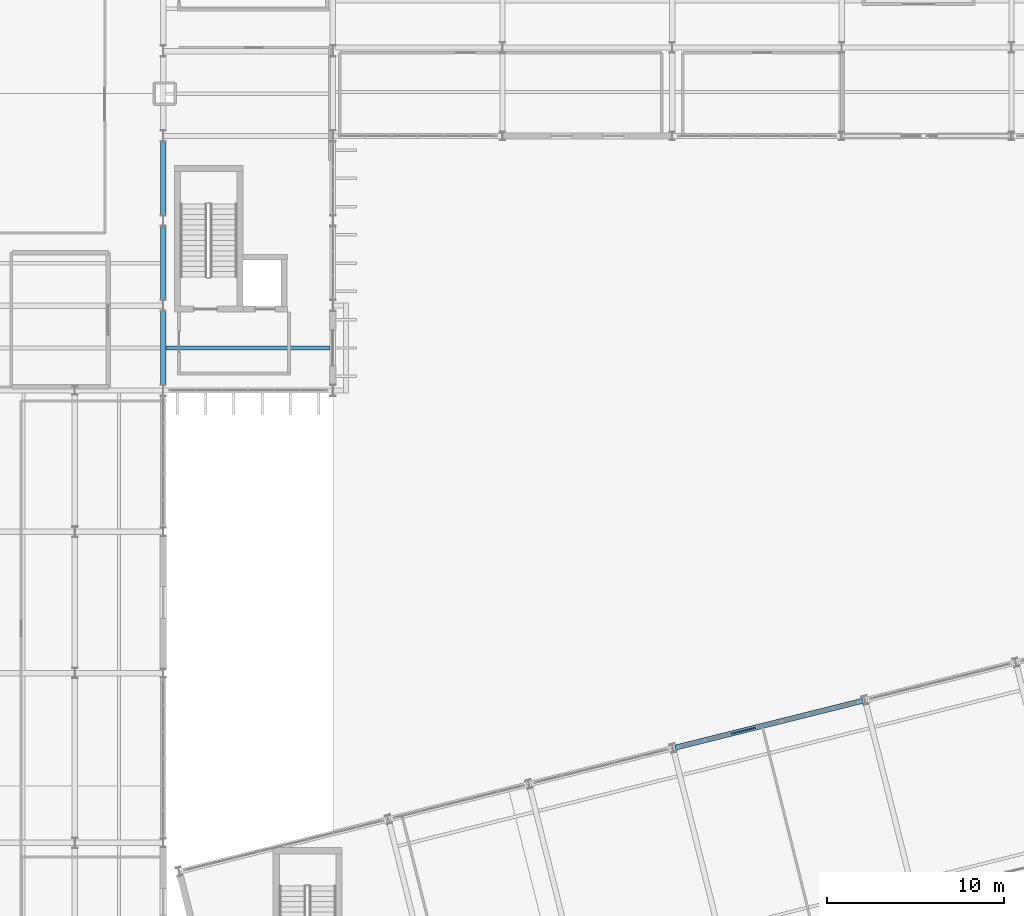
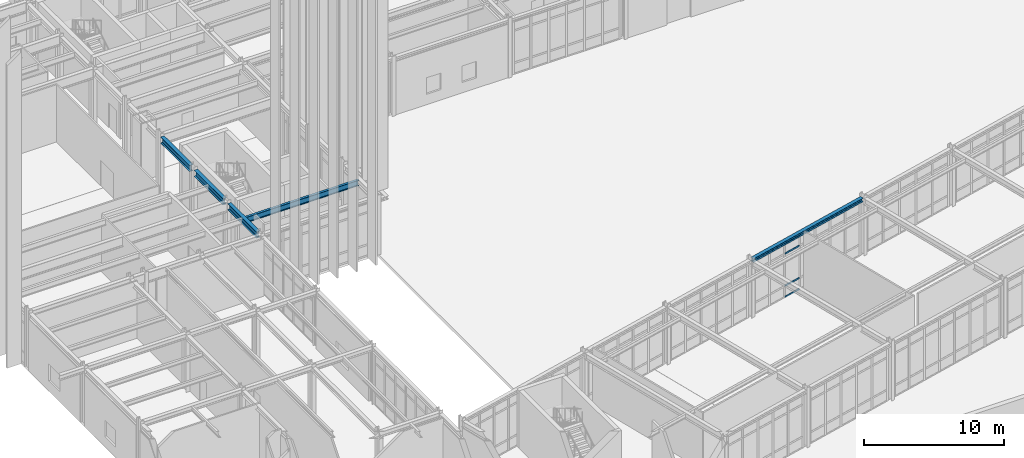
# One storey, part 41 of 109: 5 beams, 4 members, 1 element without a shape of its own.
"""IFC4 building model written with IfcOpenShell, lengths in metres."""

from ifc_helpers import new_model, si_unit, direction, frame, origin, origin_2d, place, context, subcontext, project, spatial, rectangle, i_section, extrude, material, layer, layer_set, material_profile, profile_set, type_object, element, aggregate, save


model = new_model("IFC4")

# Units and contexts
model_context = context("Model", 3, precision=1e-05, world=origin(), true_north=direction((0.0, 1.0)))
body_context = subcontext(model_context, "Body", "Model", "MODEL_VIEW")
ifc_project = project(units=[si_unit("LENGTHUNIT", "METRE"), si_unit("AREAUNIT", "SQUARE_METRE"), si_unit("VOLUMEUNIT", "CUBIC_METRE"), si_unit("PLANEANGLEUNIT", "RADIAN"), si_unit("MASSUNIT", "GRAM", prefix="KILO")], contexts=[model_context])

# Site, building, storey
site_placement = place(None, origin())
site = spatial("IfcSite", under=ifc_project, at=site_placement, CompositionType="ELEMENT")
building_placement = place(site_placement, origin())
building = spatial("IfcBuilding", under=site, at=building_placement, Name="Nordkorset Police Headquarters", CompositionType="ELEMENT")
storey_placement = place(building_placement, origin())
storey = spatial("IfcBuildingStorey", under=building, at=storey_placement, Name="L00", CompositionType="ELEMENT", Elevation=0.0)

# Beam
ifc_material_1 = material(Name="Steel S355J2", Category="steel")
ifc_material_profile_1 = material_profile(ifc_material_1, i_section(OverallWidth=0.199951171875, OverallDepth=0.5, WebThickness=0.01025390625, FlangeThickness=0.01611328125, FilletRadius=0.02099609375, at=origin_2d()), Name="IPE 500")
ifc_profile_set_1 = profile_set([ifc_material_profile_1], Name="Steel S355J2")
beam_type_1 = type_object("IfcBeamType", Name="Beam_IPE_500", PredefinedType="BEAM", material=ifc_profile_set_1)
beam_1_placement = place(storey_placement, frame((19.35009765625, 85.60009765625, 4.75), z_axis=(1.0, 0.0, 0.0), x_axis=(0.0, 1.0, 0.0)))
element("IfcBeam", 1, at=beam_1_placement, inside=storey, type_object=beam_type_1, Name="Composite Floor Beam V1 L00 1-0-1", PredefinedType="BEAM", context=body_context, shape_type="SweptSolid", body=[
    extrude(i_section(OverallWidth=0.199951171875, OverallDepth=0.5, WebThickness=0.01025390625, FlangeThickness=0.01611328125, FilletRadius=0.02099609375, at=origin_2d()), origin(), (0.0, 0.0, 1.0), 9.2998046875),
])

# Curtain wall, members
ifc_material_2 = material(Name="Aluminium alloy AW-6060", Category="aluminium")
ifc_layer = layer(ifc_material_2, 0.179931640625, Name="Aluminium alloy AW-6060")
ifc_layer_set = layer_set([ifc_layer], Name="Aluminium alloy AW-6060")
curtain_wall_type = type_object("IfcCurtainWallType", Name="CW_Unit_1056x467", PredefinedType="USERDEFINED", material=ifc_layer_set)
curtain_wall_placement = place(storey_placement, origin())
curtain_wall = element("IfcCurtainWall", 2, at=curtain_wall_placement, inside=storey, type_object=curtain_wall_type, Name="Unitised Curtain Wall L00 V4N-3", ObjectType="UNITISED CURTAIN WALL", PredefinedType="USERDEFINED")
ifc_material_3 = material(Name="Aluminium alloy AW-6060", Category="aluminium")
ifc_material_profile_2 = material_profile(ifc_material_3, rectangle(XDim=0.06494140625, YDim=0.139892578125, at=origin_2d()), Name="ALU TRAN 65x140")
ifc_profile_set_2 = profile_set([ifc_material_profile_2], Name="Aluminium alloy AW-6060")
member_type = type_object("IfcMemberType", Name="CW_Transom_65x140", PredefinedType="USERDEFINED", material=ifc_profile_set_2)
member_1_placement = place(storey_placement, frame((51.316650390625, 63.772216796875, 0.032470703125), z_axis=(0.9701026929, 0.24269479852, 0.0), x_axis=(-0.24269479852, 0.9701026929, 0.0)))
member_1 = element("IfcMember", 3, at=member_1_placement, type_object=member_type, Name="CW-18 transom 3.1", ObjectType="TRANSOM", PredefinedType="USERDEFINED", context=body_context, shape_type="SweptSolid", body=[
    extrude(rectangle(XDim=0.06494140625, YDim=0.139892578125, at=origin_2d()), origin(), (0.0, 0.0, 1.0), 1.443603515625),
])
member_2_placement = place(storey_placement, frame((51.316650390625, 63.772216796875, 1.0), z_axis=(0.9701026929, 0.24269479852, 0.0), x_axis=(-0.24269479852, 0.9701026929, 0.0)))
member_2 = element("IfcMember", 4, at=member_2_placement, type_object=member_type, Name="CW-18 transom 3.2", ObjectType="TRANSOM", PredefinedType="USERDEFINED", context=body_context, shape_type="SweptSolid", body=[
    extrude(rectangle(XDim=0.06494140625, YDim=0.139892578125, at=origin_2d()), origin(), (0.0, 0.0, 1.0), 1.443603515625),
])
member_3_placement = place(storey_placement, frame((51.316650390625, 63.772216796875, 3.820068359375), z_axis=(0.9701026929, 0.24269479852, 0.0), x_axis=(-0.24269479852, 0.9701026929, 0.0)))
member_3 = element("IfcMember", 5, at=member_3_placement, type_object=member_type, Name="CW-18 transom 3.3", ObjectType="TRANSOM", PredefinedType="USERDEFINED", context=body_context, shape_type="SweptSolid", body=[
    extrude(rectangle(XDim=0.06494140625, YDim=0.139892578125, at=origin_2d()), origin(), (0.0, 0.0, 1.0), 1.443603515625),
])
member_4_placement = place(storey_placement, frame((51.316650390625, 63.772216796875, 4.637451171875), z_axis=(0.9701026929, 0.24269479852, 0.0), x_axis=(-0.24269479852, 0.9701026929, 0.0)))
member_4 = element("IfcMember", 6, at=member_4_placement, type_object=member_type, Name="CW-18 transom 3.4", ObjectType="TRANSOM", PredefinedType="USERDEFINED", context=body_context, shape_type="SweptSolid", body=[
    extrude(rectangle(XDim=0.06494140625, YDim=0.139892578125, at=origin_2d()), origin(), (0.0, 0.0, 1.0), 1.443603515625),
])
aggregate(curtain_wall, [member_1, member_2, member_3, member_4])

# Beams
ifc_material_4 = material(Name="Steel S355J2", Category="steel")
ifc_material_profile_3 = material_profile(ifc_material_4, i_section(OverallWidth=0.300048828125, OverallDepth=0.5400390625, WebThickness=0.012451171875, FlangeThickness=0.02392578125, FilletRadius=0.027099609375, at=origin_2d()), Name="HEA 550")
ifc_profile_set_3 = profile_set([ifc_material_profile_3], Name="Steel S355J2")
beam_type_2 = type_object("IfcBeamType", Name="Girder_HEA_550", PredefinedType="USERDEFINED", material=ifc_profile_set_3)
for number, where, z_axis, x_axis, name in (
    (7, (19.199951171875, 83.52490234375, 4.72998046875), (0.0, 1.0, 0.0), (-1.0, 0.0, 0.0), "Girder V1 L00 GY-1-0"),
    (8, (19.199951171875, 88.324951171875, 4.72998046875), (0.0, 1.0, 0.0), (-1.0, 0.0, 0.0), "Girder V1 L00 GY-1-1"),
):
    element("IfcBeam", number, at=place(storey_placement, frame(where, z_axis=z_axis, x_axis=x_axis)), inside=storey, type_object=beam_type_2, Name=name, ObjectType="GIRDER", PredefinedType="USERDEFINED", context=body_context, shape_type="SweptSolid", body=[
        extrude(i_section(OverallWidth=0.300048828125, OverallDepth=0.5400390625, WebThickness=0.012451171875, FlangeThickness=0.02392578125, FilletRadius=0.027099609375, at=origin_2d()), origin(), (0.0, 0.0, 1.0), 4.150146484375),
    ])
beam_2_placement = place(storey_placement, frame((19.199951171875, 93.125, 4.72998046875), z_axis=(0.0, 1.0, 0.0), x_axis=(-1.0, 0.0, 0.0)))
element("IfcBeam", 9, at=beam_2_placement, inside=storey, type_object=beam_type_2, Name="Girder V1 L00 GY-1-2", ObjectType="GIRDER", PredefinedType="USERDEFINED", context=body_context, shape_type="SweptSolid", body=[
    extrude(i_section(OverallWidth=0.300048828125, OverallDepth=0.5400390625, WebThickness=0.012451171875, FlangeThickness=0.02392578125, FilletRadius=0.027099609375, at=origin_2d()), origin(), (0.0, 0.0, 1.0), 4.14990234375),
])
ifc_material_5 = material(Name="Steel S355J2", Category="steel")
ifc_material_profile_4 = material_profile(ifc_material_5, i_section(OverallWidth=0.300048828125, OverallDepth=0.31005859375, WebThickness=0.009033203125, FlangeThickness=0.015380859375, FilletRadius=0.027099609375, at=origin_2d()), Name="HEA 320")
ifc_profile_set_4 = profile_set([ifc_material_profile_4], Name="Steel S355J2")
beam_type_3 = type_object("IfcBeamType", Name="Spandrel_HEA_320", PredefinedType="SPANDREL", material=ifc_profile_set_4)
beam_3_placement = place(storey_placement, frame((48.173828125, 62.986572265625, 4.844970703125), z_axis=(0.970142500145, 0.242535625036, 0.0), x_axis=(-0.242535625036, 0.970142500145, 0.0)))
element("IfcBeam", 10, at=beam_3_placement, inside=storey, type_object=beam_type_3, Name="Splayed Wing Spandrel L00 3-1", PredefinedType="SPANDREL", context=body_context, shape_type="SweptSolid", body=[
    extrude(i_section(OverallWidth=0.300048828125, OverallDepth=0.31005859375, WebThickness=0.009033203125, FlangeThickness=0.015380859375, FilletRadius=0.027099609375, at=origin_2d()), origin(), (0.0, 0.0, 1.0), 10.93994140625),
])

save(model, "model.ifc")
